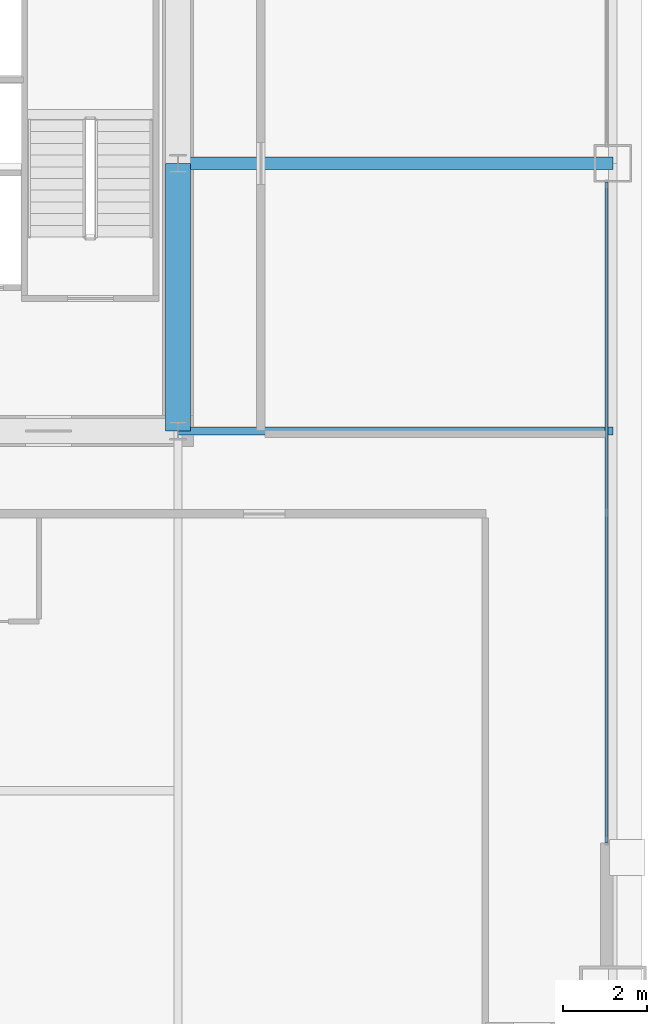
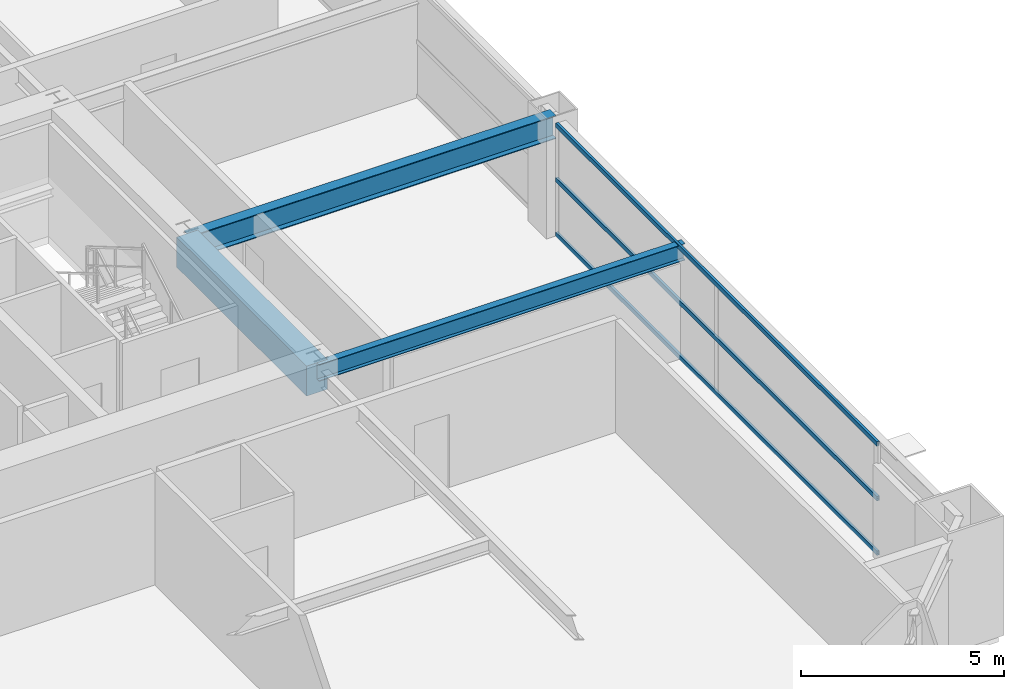
# One storey, part 18 of 37: 3 beams, 3 members, 1 element without a shape of its own.
"""IFC4 building model written with IfcOpenShell, lengths in metres."""

import ifcopenshell
import ifcopenshell.guid

model = None  # the IFC model being written
_history = None  # IfcOwnerHistory: only IFC2X3 demands one
_inside = {}  # id of a spatial element -> (the spatial element, [elements in it])
_under = {}  # id of a project, library or spatial element -> (it, [spatial elements below it])
_declared = {}  # id of a project -> (the project, [libraries it declares])
_typed = {}  # id of a type object -> (the type object, [elements of that type])
_made_of = {}  # id of a material, layer set ... -> (it, [elements and type objects made of it])


def new_model(schema):
    """Start an empty IFC model of exactly this schema.

    Asked for "IFC4X3", IfcOpenShell would pick the latest addendum, in which some entities
    have other attributes; the version numbers below select the first issue.
    IFC2X3 requires an IfcOwnerHistory on every rooted entity: one is made here for all.
    """
    global model, _history
    if schema == "IFC4X3":
        model = ifcopenshell.file(schema_version=(4, 3, 0, 0))
    else:
        model = ifcopenshell.file(schema=schema)
    _inside.clear()
    _under.clear()
    _declared.clear()
    _typed.clear()
    _made_of.clear()
    _history = None
    if model.schema == "IFC2X3":
        org = make("IfcOrganization", Name="unknown")
        user = make(
            "IfcPersonAndOrganization",
            ThePerson=make("IfcPerson", FamilyName="unknown"),
            TheOrganization=org,
        )
        app = make(
            "IfcApplication",
            ApplicationDeveloper=org,
            Version="unknown",
            ApplicationFullName="unknown",
            ApplicationIdentifier="unknown",
        )
        _history = make(
            "IfcOwnerHistory",
            OwningUser=user,
            OwningApplication=app,
            ChangeAction="ADDED",
            CreationDate=0,
        )
    return model


def make(cls, **values):
    """One entity of the class cls with the attributes given. An attribute that is None is left unset."""
    return model.create_entity(
        cls, **{name: value for name, value in values.items() if value is not None}
    )


def rooted(cls, **values):
    """An entity with a GlobalId (a new one), such as an element, a storey or a relation."""
    return make(cls, GlobalId=ifcopenshell.guid.new(), OwnerHistory=_history, **values)


def si_unit(unit_type, name, prefix=None):
    """IfcSIUnit, for example si_unit("LENGTHUNIT", "METRE", prefix="MILLI")."""
    return make("IfcSIUnit", UnitType=unit_type, Prefix=prefix, Name=name)


def assignment(units):
    """IfcUnitAssignment: the units of a project."""
    return None if units is None else make("IfcUnitAssignment", Units=units)


def point(xyz):
    """IfcCartesianPoint."""
    return None if xyz is None else make("IfcCartesianPoint", Coordinates=xyz)


def direction(xyz):
    """IfcDirection."""
    return None if xyz is None else make("IfcDirection", DirectionRatios=xyz)


def frame(location, z_axis=None, x_axis=None):
    """IfcAxis2Placement3D, a coordinate frame: its origin and axes. An axis left out is left unset."""
    return make(
        "IfcAxis2Placement3D",
        Location=point(location),
        Axis=direction(z_axis),
        RefDirection=direction(x_axis),
    )


def frame_2d(location, x_axis=None):
    """IfcAxis2Placement2D, a coordinate frame in the plane: its origin and x axis."""
    return make(
        "IfcAxis2Placement2D", Location=point(location), RefDirection=direction(x_axis)
    )


def origin():
    """The frame at (0, 0, 0) with its axes left unset."""
    return frame((0.0, 0.0, 0.0))


def origin_2d():
    """The frame at (0, 0) in the plane with its x axis left unset."""
    return frame_2d((0.0, 0.0))


def place(relative_to, where):
    """IfcLocalPlacement: puts the frame where relative to a parent placement (None: the world)."""
    return make(
        "IfcLocalPlacement", PlacementRelTo=relative_to, RelativePlacement=where
    )


def context(
    kind, dimensions, precision=None, world=None, true_north=None, identifier=None
):
    """IfcGeometricRepresentationContext, for example the 3D "Model" context."""
    return make(
        "IfcGeometricRepresentationContext",
        ContextIdentifier=identifier,
        ContextType=kind,
        CoordinateSpaceDimension=dimensions,
        Precision=precision,
        WorldCoordinateSystem=world,
        TrueNorth=true_north,
    )


def subcontext(parent, identifier, kind, view, scale=None):
    """IfcGeometricRepresentationSubContext, for example "Body" below "Model"."""
    return make(
        "IfcGeometricRepresentationSubContext",
        ContextIdentifier=identifier,
        ContextType=kind,
        ParentContext=parent,
        TargetScale=scale,
        TargetView=view,
    )


def project(units=None, contexts=None):
    """IfcProject with its units and contexts."""
    return rooted(
        "IfcProject",
        Name="project",
        RepresentationContexts=contexts,
        UnitsInContext=assignment(units),
    )


def spatial(cls, under=None, at=None, **own):
    """A site, building, storey or space (cls), placed at a placement, below another one or the project."""
    s = rooted(cls, ObjectPlacement=at, **own)
    if under is not None:
        _under.setdefault(under.id(), (under, []))[1].append(s)
    return s


def profile(cls, at=None, kind="AREA", **sizes):
    """A parametric profile (cls). Its sizes go by their IFC names, for example OverallWidth=200.0."""
    return make(cls, ProfileType=kind, Position=at, **sizes)


def rectangle(**sizes):
    """IfcRectangleProfileDef."""
    return profile("IfcRectangleProfileDef", **sizes)


def hollow_rectangle(**sizes):
    """IfcRectangleHollowProfileDef."""
    return profile("IfcRectangleHollowProfileDef", **sizes)


def i_section(**sizes):
    """IfcIShapeProfileDef."""
    return profile("IfcIShapeProfileDef", **sizes)


def extrude(swept, where, along, depth):
    """IfcExtrudedAreaSolid: the profile swept, set in the frame where, extruded along a direction by depth."""
    return make(
        "IfcExtrudedAreaSolid",
        SweptArea=swept,
        Position=where,
        ExtrudedDirection=direction(along),
        Depth=depth,
    )


def shape(context_of_items, identifier, shape_type, items):
    """IfcShapeRepresentation: the items that make up one representation, for example the "Body"."""
    return make(
        "IfcShapeRepresentation",
        ContextOfItems=context_of_items,
        RepresentationIdentifier=identifier,
        RepresentationType=shape_type,
        Items=items,
    )


def source(mapping_origin, context_of_items, identifier, shape_type, items):
    """IfcRepresentationMap: a shape defined once, which mapped items show again and again."""
    return make(
        "IfcRepresentationMap",
        MappingOrigin=mapping_origin,
        MappedRepresentation=shape(context_of_items, identifier, shape_type, items),
    )


def transform(
    local_origin,
    x_axis=None,
    y_axis=None,
    z_axis=None,
    scale=None,
    scale2=None,
    scale3=None,
    uniform=True,
):
    """IfcCartesianTransformationOperator3D, or its non-uniform kind. x_axis, y_axis, z_axis: its Axis1, 2, 3."""
    if uniform:
        return make(
            "IfcCartesianTransformationOperator3D",
            Axis1=direction(x_axis),
            Axis2=direction(y_axis),
            LocalOrigin=point(local_origin),
            Scale=scale,
            Axis3=direction(z_axis),
        )
    return make(
        "IfcCartesianTransformationOperator3DnonUniform",
        Axis1=direction(x_axis),
        Axis2=direction(y_axis),
        LocalOrigin=point(local_origin),
        Scale=scale,
        Axis3=direction(z_axis),
        Scale2=scale2,
        Scale3=scale3,
    )


def mapped(mapping_source, mapping_target):
    """IfcMappedItem: shows the shape of a source again, moved by a transform."""
    return make(
        "IfcMappedItem", MappingSource=mapping_source, MappingTarget=mapping_target
    )


def material(Name=None, Category=None):
    """IfcMaterial."""
    return make("IfcMaterial", Name=Name, Category=Category)


def layer(
    of_material, thickness, ventilated=None, Name=None, Category=None, Priority=None
):
    """IfcMaterialLayer: one layer of a wall or slab, of a material (None: an air gap)."""
    return make(
        "IfcMaterialLayer",
        Material=of_material,
        LayerThickness=thickness,
        IsVentilated=ventilated,
        Name=Name,
        Category=Category,
        Priority=Priority,
    )


def layer_set(layers, Name=None):
    """IfcMaterialLayerSet."""
    return make("IfcMaterialLayerSet", MaterialLayers=layers, LayerSetName=Name)


def material_profile(
    of_material, cross_section, Name=None, Category=None, Priority=None
):
    """IfcMaterialProfile: a cross section and its material."""
    return make(
        "IfcMaterialProfile",
        Name=Name,
        Material=of_material,
        Profile=cross_section,
        Priority=Priority,
        Category=Category,
    )


def profile_set(profiles, Name=None, composite=None):
    """IfcMaterialProfileSet."""
    return make(
        "IfcMaterialProfileSet",
        Name=Name,
        MaterialProfiles=profiles,
        CompositeProfile=composite,
    )


def made_of(thing, what):
    """Note that an element or type object is made of a material, layer set ...; save() writes the relation."""
    if what is not None:
        _made_of.setdefault(what.id(), (what, []))[1].append(thing)
    return thing


def type_object(cls, material=None, **own):
    """A type object (cls), such as IfcWallType, which elements share."""
    return made_of(rooted(cls, **own), material)


def element(
    cls,
    number,
    at=None,
    inside=None,
    cuts=None,
    type_object=None,
    material=None,
    context=None,
    identifier="Body",
    shape_type=None,
    held_by="IfcProductDefinitionShape",
    body=None,
    shapes=None,
    **own,
):
    """One element of the class cls, such as IfcWall. Its Tag is "e" and its number.

    at: its placement. inside: the storey or other place that contains it. cuts: it is an
    opening in that element (IfcRelVoidsElement). A single representation is given by context,
    identifier, shape_type and body (its items); several are given by shapes. held_by: the class
    of the entity that holds the representations. save() writes the other relations.
    """
    e = rooted(cls, Tag="e%d" % number, ObjectPlacement=at, **own)
    if body is not None:
        shapes = [shape(context, identifier, shape_type, body)]
    if shapes is not None:
        e.Representation = make(held_by, Representations=shapes)
    if inside is not None:
        _inside.setdefault(inside.id(), (inside, []))[1].append(e)
    if cuts is not None:
        rooted(
            "IfcRelVoidsElement", RelatingBuildingElement=cuts, RelatedOpeningElement=e
        )
    if type_object is not None:
        _typed.setdefault(type_object.id(), (type_object, []))[1].append(e)
    return made_of(e, material)


def aggregate(whole, parts):
    """IfcRelAggregates: a whole, such as a stair, and the parts it consists of."""
    return rooted("IfcRelAggregates", RelatingObject=whole, RelatedObjects=parts)


def save(model, path):
    """Write the relations noted so far, then the file.

    IfcRelAggregates (storeys below a building ...), IfcRelContainedInSpatialStructure (elements
    in a storey), IfcRelDefinesByType, IfcRelAssociatesMaterial and IfcRelDeclares: one each for
    every whole, place, type object, material and project.
    """
    for whole, parts in _under.values():
        aggregate(whole, parts)
    for where, things in _inside.values():
        rooted(
            "IfcRelContainedInSpatialStructure",
            RelatedElements=things,
            RelatingStructure=where,
        )
    for kind, things in _typed.values():
        rooted("IfcRelDefinesByType", RelatedObjects=things, RelatingType=kind)
    for what, things in _made_of.values():
        rooted("IfcRelAssociatesMaterial", RelatedObjects=things, RelatingMaterial=what)
    for by, libraries in _declared.values():
        rooted("IfcRelDeclares", RelatingContext=by, RelatedDefinitions=libraries)
    model.write(path)


model = new_model("IFC4")

# Units and contexts
model_context = context("Model", 3, precision=1e-05, world=origin(), true_north=direction((0.0, 1.0)))
body_context = subcontext(model_context, "Body", "Model", "MODEL_VIEW")
ifc_project = project(units=[si_unit("LENGTHUNIT", "METRE"), si_unit("AREAUNIT", "SQUARE_METRE"), si_unit("VOLUMEUNIT", "CUBIC_METRE"), si_unit("PLANEANGLEUNIT", "RADIAN"), si_unit("MASSUNIT", "GRAM", prefix="KILO"), si_unit("THERMODYNAMICTEMPERATUREUNIT", "KELVIN"), si_unit("POWERUNIT", "WATT")], contexts=[model_context])

# Site, building, storey
site_placement = place(None, origin())
site = spatial("IfcSite", under=ifc_project, at=site_placement, CompositionType="ELEMENT")
building_placement = place(site_placement, origin())
building = spatial("IfcBuilding", under=site, at=building_placement, Name="Yuzanri Waterfront Tower", CompositionType="ELEMENT")
storey_placement = place(building_placement, frame((0.0, 0.0, 104.60009765625)))
storey = spatial("IfcBuildingStorey", under=building, at=storey_placement, Name="L27", CompositionType="ELEMENT", Elevation=104.60009765625)

# Beams
ifc_material_1 = material(Name="Concrete C60", Category="concrete")
ifc_material_profile_1 = material_profile(ifc_material_1, rectangle(XDim=0.60009765625, YDim=0.89990234375, at=origin_2d()), Name="RC 600x900")
ifc_profile_set_1 = profile_set([ifc_material_profile_1], Name="Concrete C60")
beam_type_1 = type_object("IfcBeamType", Name="Core Coupling Lintel Concrete C60 600x900", PredefinedType="LINTEL", material=ifc_profile_set_1)
shared_shape_1 = source(origin(), body_context, "Body", "SweptSolid", [
    extrude(rectangle(XDim=0.60009765625, YDim=0.89990234375, at=origin_2d()), origin(), (0.0, 0.0, 1.0), 6.400146484375),
])
beam_1_placement = place(storey_placement, frame((50.199951171875, 19.39990234375, 2.929931640625), z_axis=(0.0, 1.0, 0.0), x_axis=(-1.0, 0.0, 0.0)))
element("IfcBeam", 1, at=beam_1_placement, inside=storey, type_object=beam_type_1, Name="L27 Core Tie Beam CE1", PredefinedType="LINTEL", context=body_context, shape_type="MappedRepresentation", body=[
    mapped(shared_shape_1, transform((0.0, 0.0, 0.0), scale=1.0)),
])
ifc_material_2 = material(Name="Steel Q355B", Category="steel")
ifc_material_profile_2 = material_profile(ifc_material_2, i_section(OverallWidth=0.300048828125, OverallDepth=0.699951171875, WebThickness=0.012939453125, FlangeThickness=0.02392578125, at=origin_2d()), Name="HN 700x300x13x24")
ifc_profile_set_2 = profile_set([ifc_material_profile_2], Name="Steel Q355B")
beam_type_2 = type_object("IfcBeamType", Name="Primary Floor Girder Q355B HN 700x300", PredefinedType="BEAM", material=ifc_profile_set_2)
shared_shape_2 = source(origin(), body_context, "Body", "SweptSolid", [
    extrude(i_section(OverallWidth=0.300048828125, OverallDepth=0.699951171875, WebThickness=0.012939453125, FlangeThickness=0.02392578125, at=origin_2d()), origin(), (0.0, 0.0, 1.0), 10.400146484375),
])
beam_2_placement = place(storey_placement, frame((50.199951171875, 25.800048828125, 3.02978515625), z_axis=(1.0, 0.0, 0.0), x_axis=(0.0, 1.0, 0.0)))
element("IfcBeam", 2, at=beam_2_placement, inside=storey, type_object=beam_type_2, Name="L27 East Grid Girder", PredefinedType="BEAM", context=body_context, shape_type="MappedRepresentation", body=[
    mapped(shared_shape_2, transform((0.0, 0.0, 0.0), scale=1.0)),
])
ifc_material_3 = material(Name="Steel Q355B", Category="steel")
ifc_material_profile_3 = material_profile(ifc_material_3, i_section(OverallWidth=0.199951171875, OverallDepth=0.5, WebThickness=0.010009765625, FlangeThickness=0.01611328125, at=origin_2d()), Name="HN 500x200x10x16")
ifc_profile_set_3 = profile_set([ifc_material_profile_3], Name="Steel Q355B")
beam_type_3 = type_object("IfcBeamType", Name="Secondary Floor Beam Q355B HN 500x200", PredefinedType="BEAM", material=ifc_profile_set_3)
shared_shape_3 = source(origin(), body_context, "Body", "SweptSolid", [
    extrude(i_section(OverallWidth=0.199951171875, OverallDepth=0.5, WebThickness=0.010009765625, FlangeThickness=0.01611328125, at=origin_2d()), origin(), (0.0, 0.0, 1.0), 10.400146484375),
])
beam_3_placement = place(storey_placement, frame((50.199951171875, 19.39990234375, 3.1298828125), z_axis=(1.0, 0.0, 0.0), x_axis=(0.0, 1.0, 0.0)))
element("IfcBeam", 3, at=beam_3_placement, inside=storey, type_object=beam_type_3, Name="L27 East-South Core Line Beam", PredefinedType="BEAM", context=body_context, shape_type="MappedRepresentation", body=[
    mapped(shared_shape_3, transform((0.0, 0.0, 0.0), scale=1.0)),
])

# Curtain wall, members
ifc_material_4 = material(Name="Anodized Architectural Bronze", Category="metal")
ifc_layer = layer(ifc_material_4, 0.159912109375)
ifc_layer_set = layer_set([ifc_layer], Name="Anodized Architectural Bronze")
curtain_wall_type = type_object("IfcCurtainWallType", Name="Anodized Bronze Hotel Upper-Tier Solar-Control Unitized Curtain Wall 7800", PredefinedType="NOTDEFINED", material=ifc_layer_set)
curtain_wall_placement = place(storey_placement, origin())
curtain_wall = element("IfcCurtainWall", 4, at=curtain_wall_placement, inside=storey, type_object=curtain_wall_type, Name="L27 Curtain Wall CW-L27-EL", PredefinedType="NOTDEFINED")
ifc_material_5 = material(Name="Anodized Architectural Bronze", Category="metal")
ifc_material_profile_4 = material_profile(ifc_material_5, hollow_rectangle(XDim=0.070068359375, YDim=0.135009765625, WallThickness=0.00341796875, at=origin_2d()), Name="CWT 70x135")
ifc_profile_set_4 = profile_set([ifc_material_profile_4], Name="Anodized Architectural Bronze")
member_type = type_object("IfcMemberType", Name="Anodized Bronze Standard Curtain-Wall Transom 70x135", PredefinedType="USERDEFINED", material=ifc_profile_set_4)
shared_shape_4 = source(origin(), body_context, "Body", "SweptSolid", [
    extrude(hollow_rectangle(XDim=0.070068359375, YDim=0.135009765625, WallThickness=0.00341796875, at=origin_2d()), origin(), (0.0, 0.0, 1.0), 15.800048828125),
])
member_1_placement = place(storey_placement, frame((60.449951171875, 9.550048828125, 0.0498046875), z_axis=(0.0, 1.0, 0.0), x_axis=(-1.0, 0.0, 0.0)))
member_1 = element("IfcMember", 5, at=member_1_placement, type_object=member_type, Name="CW-L27-EL Transom 1", ObjectType="TRANSOM", PredefinedType="USERDEFINED", context=body_context, shape_type="MappedRepresentation", body=[
    mapped(shared_shape_4, transform((0.0, 0.0, 0.0), scale=1.0)),
])
member_2_placement = place(storey_placement, frame((60.449951171875, 9.550048828125, 1.68994140625), z_axis=(0.0, 1.0, 0.0), x_axis=(-1.0, 0.0, 0.0)))
member_2 = element("IfcMember", 6, at=member_2_placement, type_object=member_type, Name="CW-L27-EL Transom 2", ObjectType="TRANSOM", PredefinedType="USERDEFINED", context=body_context, shape_type="MappedRepresentation", body=[
    mapped(shared_shape_4, transform((0.0, 0.0, 0.0), scale=1.0)),
])
member_3_placement = place(storey_placement, frame((60.449951171875, 9.550048828125, 3.329833984375), z_axis=(0.0, 1.0, 0.0), x_axis=(-1.0, 0.0, 0.0)))
member_3 = element("IfcMember", 7, at=member_3_placement, type_object=member_type, Name="CW-L27-EL Transom 3", ObjectType="TRANSOM", PredefinedType="USERDEFINED", context=body_context, shape_type="MappedRepresentation", body=[
    mapped(shared_shape_4, transform((0.0, 0.0, 0.0), scale=1.0)),
])
aggregate(curtain_wall, [member_1, member_2, member_3])

save(model, "model.ifc")
